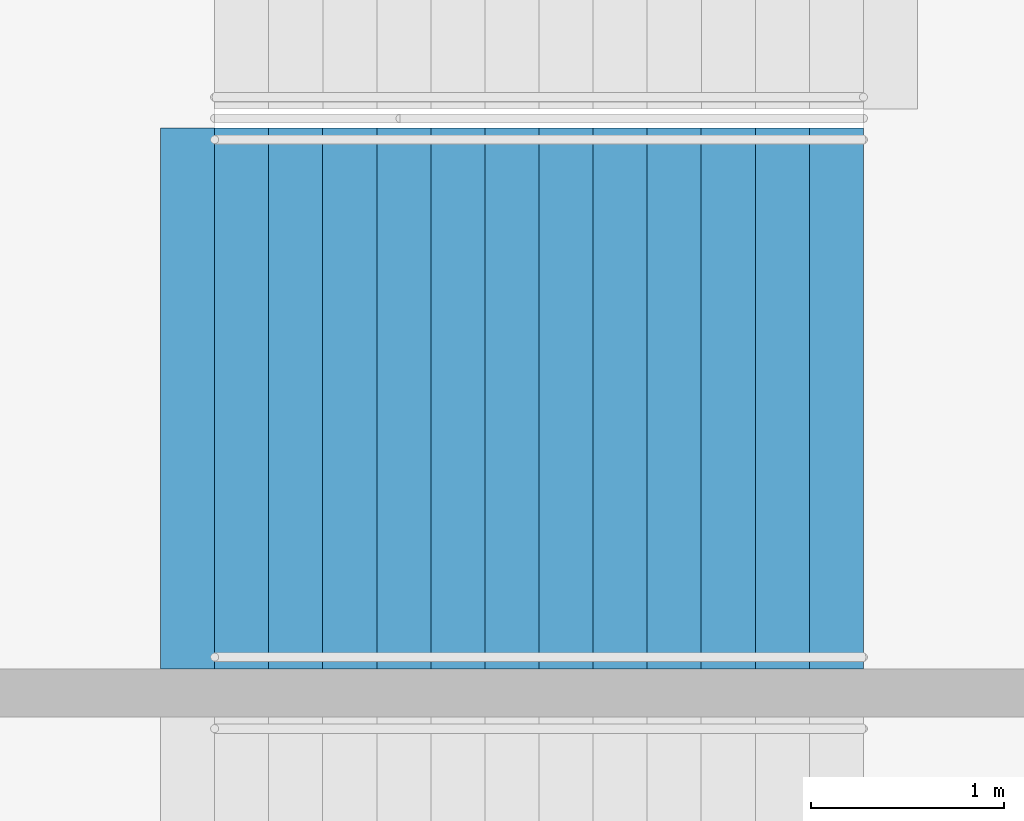
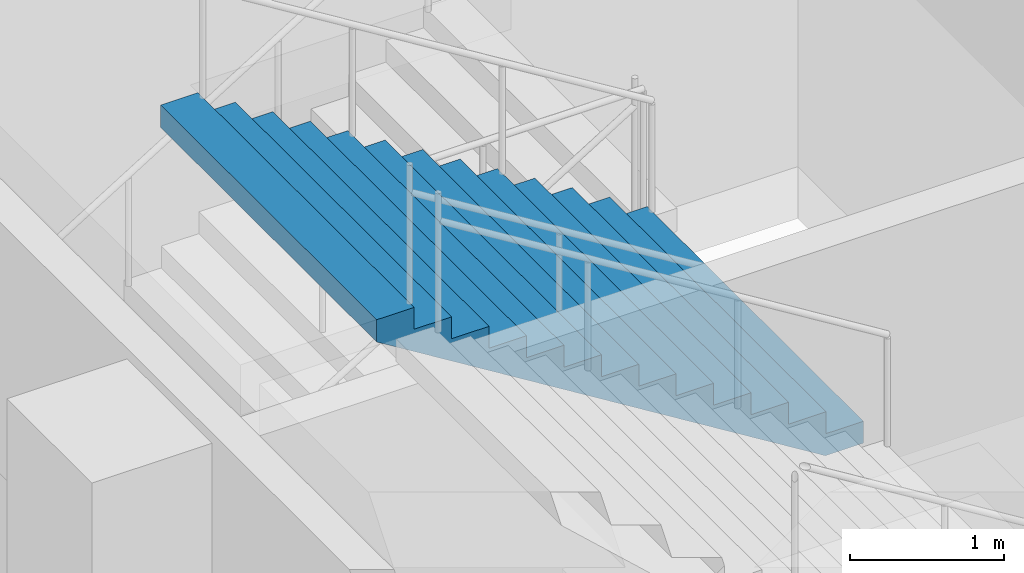
# One storey, part 125 of 177: 1 stair flight, 1 element without a shape of its own.
"""IFC4 building model written with IfcOpenShell, lengths in metres."""

import ifcopenshell
import ifcopenshell.guid

model = None  # the IFC model being written
_history = None  # IfcOwnerHistory: only IFC2X3 demands one
_inside = {}  # id of a spatial element -> (the spatial element, [elements in it])
_under = {}  # id of a project, library or spatial element -> (it, [spatial elements below it])
_declared = {}  # id of a project -> (the project, [libraries it declares])
_typed = {}  # id of a type object -> (the type object, [elements of that type])
_made_of = {}  # id of a material, layer set ... -> (it, [elements and type objects made of it])


def new_model(schema):
    """Start an empty IFC model of exactly this schema.

    Asked for "IFC4X3", IfcOpenShell would pick the latest addendum, in which some entities
    have other attributes; the version numbers below select the first issue.
    IFC2X3 requires an IfcOwnerHistory on every rooted entity: one is made here for all.
    """
    global model, _history
    if schema == "IFC4X3":
        model = ifcopenshell.file(schema_version=(4, 3, 0, 0))
    else:
        model = ifcopenshell.file(schema=schema)
    _inside.clear()
    _under.clear()
    _declared.clear()
    _typed.clear()
    _made_of.clear()
    _history = None
    if model.schema == "IFC2X3":
        org = make("IfcOrganization", Name="unknown")
        user = make(
            "IfcPersonAndOrganization",
            ThePerson=make("IfcPerson", FamilyName="unknown"),
            TheOrganization=org,
        )
        app = make(
            "IfcApplication",
            ApplicationDeveloper=org,
            Version="unknown",
            ApplicationFullName="unknown",
            ApplicationIdentifier="unknown",
        )
        _history = make(
            "IfcOwnerHistory",
            OwningUser=user,
            OwningApplication=app,
            ChangeAction="ADDED",
            CreationDate=0,
        )
    return model


def make(cls, **values):
    """One entity of the class cls with the attributes given. An attribute that is None is left unset."""
    return model.create_entity(
        cls, **{name: value for name, value in values.items() if value is not None}
    )


def rooted(cls, **values):
    """An entity with a GlobalId (a new one), such as an element, a storey or a relation."""
    return make(cls, GlobalId=ifcopenshell.guid.new(), OwnerHistory=_history, **values)


def si_unit(unit_type, name, prefix=None):
    """IfcSIUnit, for example si_unit("LENGTHUNIT", "METRE", prefix="MILLI")."""
    return make("IfcSIUnit", UnitType=unit_type, Prefix=prefix, Name=name)


def assignment(units):
    """IfcUnitAssignment: the units of a project."""
    return None if units is None else make("IfcUnitAssignment", Units=units)


def point(xyz):
    """IfcCartesianPoint."""
    return None if xyz is None else make("IfcCartesianPoint", Coordinates=xyz)


def direction(xyz):
    """IfcDirection."""
    return None if xyz is None else make("IfcDirection", DirectionRatios=xyz)


def frame(location, z_axis=None, x_axis=None):
    """IfcAxis2Placement3D, a coordinate frame: its origin and axes. An axis left out is left unset."""
    return make(
        "IfcAxis2Placement3D",
        Location=point(location),
        Axis=direction(z_axis),
        RefDirection=direction(x_axis),
    )


def origin():
    """The frame at (0, 0, 0) with its axes left unset."""
    return frame((0.0, 0.0, 0.0))


def place(relative_to, where):
    """IfcLocalPlacement: puts the frame where relative to a parent placement (None: the world)."""
    return make(
        "IfcLocalPlacement", PlacementRelTo=relative_to, RelativePlacement=where
    )


def context(
    kind, dimensions, precision=None, world=None, true_north=None, identifier=None
):
    """IfcGeometricRepresentationContext, for example the 3D "Model" context."""
    return make(
        "IfcGeometricRepresentationContext",
        ContextIdentifier=identifier,
        ContextType=kind,
        CoordinateSpaceDimension=dimensions,
        Precision=precision,
        WorldCoordinateSystem=world,
        TrueNorth=true_north,
    )


def subcontext(parent, identifier, kind, view, scale=None):
    """IfcGeometricRepresentationSubContext, for example "Body" below "Model"."""
    return make(
        "IfcGeometricRepresentationSubContext",
        ContextIdentifier=identifier,
        ContextType=kind,
        ParentContext=parent,
        TargetScale=scale,
        TargetView=view,
    )


def project(units=None, contexts=None):
    """IfcProject with its units and contexts."""
    return rooted(
        "IfcProject",
        Name="project",
        RepresentationContexts=contexts,
        UnitsInContext=assignment(units),
    )


def spatial(cls, under=None, at=None, **own):
    """A site, building, storey or space (cls), placed at a placement, below another one or the project."""
    s = rooted(cls, ObjectPlacement=at, **own)
    if under is not None:
        _under.setdefault(under.id(), (under, []))[1].append(s)
    return s


def faces_of(points, faces, orient=None, outer=None):
    """IfcFace entities. A face is a list of loops; a loop is a list of indices into points, from 0.

    orient and outer hold one flag for each loop. By default every Orientation is true, the
    first loop of a face is its IfcFaceOuterBound and the others are IfcFaceBound.
    """
    made = []
    for i, loops in enumerate(faces):
        bounds = []
        for j, loop in enumerate(loops):
            is_outer = j == 0 if outer is None else outer[i][j]
            bounds.append(
                make(
                    "IfcFaceOuterBound" if is_outer else "IfcFaceBound",
                    Bound=make("IfcPolyLoop", Polygon=[points[k] for k in loop]),
                    Orientation=True if orient is None else orient[i][j],
                )
            )
        made.append(make("IfcFace", Bounds=bounds))
    return made


def faceted_brep(points, faces, orient=None, outer=None, voids=None):
    """IfcFacetedBrep: a solid bounded by flat faces; with voids (closed shells), ...WithVoids."""
    shared = [point(p) for p in points]
    hull = make("IfcClosedShell", CfsFaces=faces_of(shared, faces, orient, outer))
    if voids is None:
        return make("IfcFacetedBrep", Outer=hull)
    return make(
        "IfcFacetedBrepWithVoids",
        Outer=hull,
        Voids=[
            make(cls, CfsFaces=faces_of(shared, fs, o, b)) for cls, fs, o, b in voids
        ],
    )


def shape(context_of_items, identifier, shape_type, items):
    """IfcShapeRepresentation: the items that make up one representation, for example the "Body"."""
    return make(
        "IfcShapeRepresentation",
        ContextOfItems=context_of_items,
        RepresentationIdentifier=identifier,
        RepresentationType=shape_type,
        Items=items,
    )


def material(Name=None, Category=None):
    """IfcMaterial."""
    return make("IfcMaterial", Name=Name, Category=Category)


def made_of(thing, what):
    """Note that an element or type object is made of a material, layer set ...; save() writes the relation."""
    if what is not None:
        _made_of.setdefault(what.id(), (what, []))[1].append(thing)
    return thing


def type_object(cls, material=None, **own):
    """A type object (cls), such as IfcWallType, which elements share."""
    return made_of(rooted(cls, **own), material)


def element(
    cls,
    number,
    at=None,
    inside=None,
    cuts=None,
    type_object=None,
    material=None,
    context=None,
    identifier="Body",
    shape_type=None,
    held_by="IfcProductDefinitionShape",
    body=None,
    shapes=None,
    **own,
):
    """One element of the class cls, such as IfcWall. Its Tag is "e" and its number.

    at: its placement. inside: the storey or other place that contains it. cuts: it is an
    opening in that element (IfcRelVoidsElement). A single representation is given by context,
    identifier, shape_type and body (its items); several are given by shapes. held_by: the class
    of the entity that holds the representations. save() writes the other relations.
    """
    e = rooted(cls, Tag="e%d" % number, ObjectPlacement=at, **own)
    if body is not None:
        shapes = [shape(context, identifier, shape_type, body)]
    if shapes is not None:
        e.Representation = make(held_by, Representations=shapes)
    if inside is not None:
        _inside.setdefault(inside.id(), (inside, []))[1].append(e)
    if cuts is not None:
        rooted(
            "IfcRelVoidsElement", RelatingBuildingElement=cuts, RelatedOpeningElement=e
        )
    if type_object is not None:
        _typed.setdefault(type_object.id(), (type_object, []))[1].append(e)
    return made_of(e, material)


def aggregate(whole, parts):
    """IfcRelAggregates: a whole, such as a stair, and the parts it consists of."""
    return rooted("IfcRelAggregates", RelatingObject=whole, RelatedObjects=parts)


def save(model, path):
    """Write the relations noted so far, then the file.

    IfcRelAggregates (storeys below a building ...), IfcRelContainedInSpatialStructure (elements
    in a storey), IfcRelDefinesByType, IfcRelAssociatesMaterial and IfcRelDeclares: one each for
    every whole, place, type object, material and project.
    """
    for whole, parts in _under.values():
        aggregate(whole, parts)
    for where, things in _inside.values():
        rooted(
            "IfcRelContainedInSpatialStructure",
            RelatedElements=things,
            RelatingStructure=where,
        )
    for kind, things in _typed.values():
        rooted("IfcRelDefinesByType", RelatedObjects=things, RelatingType=kind)
    for what, things in _made_of.values():
        rooted("IfcRelAssociatesMaterial", RelatedObjects=things, RelatingMaterial=what)
    for by, libraries in _declared.values():
        rooted("IfcRelDeclares", RelatingContext=by, RelatedDefinitions=libraries)
    model.write(path)


model = new_model("IFC4")

# Units and contexts
model_context = context("Model", 3, precision=1e-05, world=origin(), true_north=direction((0.0, 1.0)))
body_context = subcontext(model_context, "Body", "Model", "MODEL_VIEW")
ifc_project = project(units=[si_unit("LENGTHUNIT", "METRE"), si_unit("AREAUNIT", "SQUARE_METRE"), si_unit("VOLUMEUNIT", "CUBIC_METRE"), si_unit("PLANEANGLEUNIT", "RADIAN"), si_unit("MASSUNIT", "GRAM", prefix="KILO")], contexts=[model_context])

# Site, building, storey
site_placement = place(None, origin())
site = spatial("IfcSite", under=ifc_project, at=site_placement, CompositionType="ELEMENT")
building_placement = place(site_placement, origin())
building = spatial("IfcBuilding", under=site, at=building_placement, Name="Ogive Plaza Stadium", CompositionType="ELEMENT")
storey_placement = place(building_placement, frame((0.0, 0.0, 18.0)))
storey = spatial("IfcBuildingStorey", under=building, at=storey_placement, Name="L04", CompositionType="ELEMENT", Elevation=18.0)

# Stair, stair flight
ifc_material_1 = material(Name="Concrete C40/50", Category="concrete")
stair_type = type_object("IfcStairType", Name="Exit stair", PredefinedType="STRAIGHT_RUN_STAIR", material=ifc_material_1)
stair_placement = place(storey_placement, origin())
stair = element("IfcStair", 1, at=stair_placement, inside=storey, type_object=stair_type, Name="Exit stair ST06B L04 to L05", PredefinedType="STRAIGHT_RUN_STAIR")
ifc_material_2 = material(Name="Concrete C40/50", Category="concrete")
stair_flight_type = type_object("IfcStairFlightType", Name="Exit stair flight", PredefinedType="STRAIGHT", material=ifc_material_2)
stair_flight_placement = place(storey_placement, frame((79.7099609375, -20.97509765625, 2.25), z_axis=(0.0, 0.0, 1.0), x_axis=(-1.0, 0.0, 0.0)))
stair_flight = element("IfcStairFlight", 2, at=stair_flight_placement, type_object=stair_flight_type, Name="ST06B flight 2", NumberOfRisers=13, NumberOfTreads=12, PredefinedType="STRAIGHT", RiserHeight=0.173076923, TreadLength=0.28, context=body_context, shape_type="Brep", body=[
    faceted_brep([(0.28515625, -1.39990234375, 0.0), (3.639892578125, -1.39990234375, 2.07373046875), (3.639892578125, -1.39990234375, 2.25), (3.360107421875, -1.39990234375, 2.25), (3.360107421875, -1.39990234375, 2.076904296875), (3.080078125, -1.39990234375, 2.076904296875), (3.080078125, -1.39990234375, 1.90380859375), (2.800048828125, -1.39990234375, 1.90380859375), (2.800048828125, -1.39990234375, 1.730712890625), (2.52001953125, -1.39990234375, 1.730712890625), (2.52001953125, -1.39990234375, 1.5576171875), (2.239990234375, -1.39990234375, 1.5576171875), (2.239990234375, -1.39990234375, 1.384521484375), (1.9599609375, -1.39990234375, 1.384521484375), (1.9599609375, -1.39990234375, 1.21142578125), (1.679931640625, -1.39990234375, 1.21142578125), (1.679931640625, -1.39990234375, 1.03857421875), (1.39990234375, -1.39990234375, 1.03857421875), (1.39990234375, -1.39990234375, 0.865478515625), (1.1201171875, -1.39990234375, 0.865478515625), (1.1201171875, -1.39990234375, 0.6923828125), (0.840087890625, -1.39990234375, 0.6923828125), (0.840087890625, -1.39990234375, 0.519287109375), (0.56005859375, -1.39990234375, 0.519287109375), (0.56005859375, -1.39990234375, 0.34619140625), (0.280029296875, -1.39990234375, 0.34619140625), (0.280029296875, -1.39990234375, 0.173095703125), (0.0, -1.39990234375, 0.173095703125), (0.0, -1.39990234375, 0.0), (0.0, 1.39990234375, 0.0), (0.0, 1.39990234375, 0.173095703125), (0.280029296875, 1.39990234375, 0.173095703125), (0.280029296875, 1.39990234375, 0.34619140625), (0.56005859375, 1.39990234375, 0.34619140625), (0.56005859375, 1.39990234375, 0.519287109375), (0.840087890625, 1.39990234375, 0.519287109375), (0.840087890625, 1.39990234375, 0.6923828125), (1.1201171875, 1.39990234375, 0.6923828125), (1.1201171875, 1.39990234375, 0.865478515625), (1.39990234375, 1.39990234375, 0.865478515625), (1.39990234375, 1.39990234375, 1.03857421875), (1.679931640625, 1.39990234375, 1.03857421875), (1.679931640625, 1.39990234375, 1.21142578125), (1.9599609375, 1.39990234375, 1.21142578125), (1.9599609375, 1.39990234375, 1.384521484375), (2.239990234375, 1.39990234375, 1.384521484375), (2.239990234375, 1.39990234375, 1.5576171875), (2.52001953125, 1.39990234375, 1.5576171875), (2.52001953125, 1.39990234375, 1.730712890625), (2.800048828125, 1.39990234375, 1.730712890625), (2.800048828125, 1.39990234375, 1.90380859375), (3.080078125, 1.39990234375, 1.90380859375), (3.080078125, 1.39990234375, 2.076904296875), (3.360107421875, 1.39990234375, 2.076904296875), (3.360107421875, 1.39990234375, 2.25), (3.639892578125, 1.39990234375, 2.25), (3.639892578125, 1.39990234375, 2.07373046875), (0.28515625, 1.39990234375, 0.0), (0.28515625, -1.0888671875, 0.0), (3.639892578125, -1.0888671875, 2.07373046875), (0.28515625, -0.77783203125, 0.0), (3.639892578125, -0.77783203125, 2.07373046875), (0.28515625, -0.466796875, 0.0), (3.639892578125, -0.466796875, 2.07373046875), (0.28515625, -0.155517578125, 0.0), (3.639892578125, -0.155517578125, 2.07373046875), (0.28515625, 0.155517578125, 0.0), (3.639892578125, 0.155517578125, 2.07373046875), (0.28515625, 0.466796875, 0.0), (3.639892578125, 0.466796875, 2.07373046875), (0.28515625, 0.77783203125, 0.0), (3.639892578125, 0.77783203125, 2.07373046875), (0.28515625, 1.0888671875, 0.0), (3.639892578125, 1.0888671875, 2.07373046875), (3.639892578125, -1.0888671875, 2.25), (3.639892578125, -0.77783203125, 2.25), (3.639892578125, -0.466796875, 2.25), (3.639892578125, -0.155517578125, 2.25), (3.639892578125, 0.155517578125, 2.25), (3.639892578125, 0.466796875, 2.25), (3.639892578125, 0.77783203125, 2.25), (3.639892578125, 1.0888671875, 2.25), (3.360107421875, -1.0888671875, 2.25), (3.360107421875, -0.77783203125, 2.25), (3.360107421875, -0.466796875, 2.25), (3.360107421875, -0.155517578125, 2.25), (3.360107421875, 0.155517578125, 2.25), (3.360107421875, 0.466796875, 2.25), (3.360107421875, 0.77783203125, 2.25), (3.360107421875, 1.0888671875, 2.25), (3.360107421875, -1.0888671875, 2.076904296875), (3.360107421875, -0.77783203125, 2.076904296875), (3.360107421875, -0.466796875, 2.076904296875), (3.360107421875, -0.155517578125, 2.076904296875), (3.360107421875, 0.155517578125, 2.076904296875), (3.360107421875, 0.466796875, 2.076904296875), (3.360107421875, 0.77783203125, 2.076904296875), (3.360107421875, 1.0888671875, 2.076904296875), (3.080078125, -1.0888671875, 2.076904296875), (3.080078125, -0.77783203125, 2.076904296875), (3.080078125, -0.466796875, 2.076904296875), (3.080078125, -0.155517578125, 2.076904296875), (3.080078125, 0.155517578125, 2.076904296875), (3.080078125, 0.466796875, 2.076904296875), (3.080078125, 0.77783203125, 2.076904296875), (3.080078125, 1.0888671875, 2.076904296875), (3.080078125, -1.0888671875, 1.90380859375), (3.080078125, -0.77783203125, 1.90380859375), (3.080078125, -0.466796875, 1.90380859375), (3.080078125, -0.155517578125, 1.90380859375), (3.080078125, 0.155517578125, 1.90380859375), (3.080078125, 0.466796875, 1.90380859375), (3.080078125, 0.77783203125, 1.90380859375), (3.080078125, 1.0888671875, 1.90380859375), (2.800048828125, -1.0888671875, 1.90380859375), (2.800048828125, -0.77783203125, 1.90380859375), (2.800048828125, -0.466796875, 1.90380859375), (2.800048828125, -0.155517578125, 1.90380859375), (2.800048828125, 0.155517578125, 1.90380859375), (2.800048828125, 0.466796875, 1.90380859375), (2.800048828125, 0.77783203125, 1.90380859375), (2.800048828125, 1.0888671875, 1.90380859375), (2.800048828125, -1.0888671875, 1.730712890625), (2.800048828125, -0.77783203125, 1.730712890625), (2.800048828125, -0.466796875, 1.730712890625), (2.800048828125, -0.155517578125, 1.730712890625), (2.800048828125, 0.155517578125, 1.730712890625), (2.800048828125, 0.466796875, 1.730712890625), (2.800048828125, 0.77783203125, 1.730712890625), (2.800048828125, 1.0888671875, 1.730712890625), (2.52001953125, -1.0888671875, 1.730712890625), (2.52001953125, -0.77783203125, 1.730712890625), (2.52001953125, -0.466796875, 1.730712890625), (2.52001953125, -0.155517578125, 1.730712890625), (2.52001953125, 0.155517578125, 1.730712890625), (2.52001953125, 0.466796875, 1.730712890625), (2.52001953125, 0.77783203125, 1.730712890625), (2.52001953125, 1.0888671875, 1.730712890625), (2.52001953125, -1.0888671875, 1.5576171875), (2.52001953125, -0.77783203125, 1.5576171875), (2.52001953125, -0.466796875, 1.5576171875), (2.52001953125, -0.155517578125, 1.5576171875), (2.52001953125, 0.155517578125, 1.5576171875), (2.52001953125, 0.466796875, 1.5576171875), (2.52001953125, 0.77783203125, 1.5576171875), (2.52001953125, 1.0888671875, 1.5576171875), (2.239990234375, -1.0888671875, 1.5576171875), (2.239990234375, -0.77783203125, 1.5576171875), (2.239990234375, -0.466796875, 1.5576171875), (2.239990234375, -0.155517578125, 1.5576171875), (2.239990234375, 0.155517578125, 1.5576171875), (2.239990234375, 0.466796875, 1.5576171875), (2.239990234375, 0.77783203125, 1.5576171875), (2.239990234375, 1.0888671875, 1.5576171875), (2.239990234375, -1.0888671875, 1.384521484375), (2.239990234375, -0.77783203125, 1.384521484375), (2.239990234375, -0.466796875, 1.384521484375), (2.239990234375, -0.155517578125, 1.384521484375), (2.239990234375, 0.155517578125, 1.384521484375), (2.239990234375, 0.466796875, 1.384521484375), (2.239990234375, 0.77783203125, 1.384521484375), (2.239990234375, 1.0888671875, 1.384521484375), (1.9599609375, -1.0888671875, 1.384521484375), (1.9599609375, -0.77783203125, 1.384521484375), (1.9599609375, -0.466796875, 1.384521484375), (1.9599609375, -0.155517578125, 1.384521484375), (1.9599609375, 0.155517578125, 1.384521484375), (1.9599609375, 0.466796875, 1.384521484375), (1.9599609375, 0.77783203125, 1.384521484375), (1.9599609375, 1.0888671875, 1.384521484375), (1.9599609375, -1.0888671875, 1.21142578125), (1.9599609375, -0.77783203125, 1.21142578125), (1.9599609375, -0.466796875, 1.21142578125), (1.9599609375, -0.155517578125, 1.21142578125), (1.9599609375, 0.155517578125, 1.21142578125), (1.9599609375, 0.466796875, 1.21142578125), (1.9599609375, 0.77783203125, 1.21142578125), (1.9599609375, 1.0888671875, 1.21142578125), (1.679931640625, -1.0888671875, 1.21142578125), (1.679931640625, -0.77783203125, 1.21142578125), (1.679931640625, -0.466796875, 1.21142578125), (1.679931640625, -0.155517578125, 1.21142578125), (1.679931640625, 0.155517578125, 1.21142578125), (1.679931640625, 0.466796875, 1.21142578125), (1.679931640625, 0.77783203125, 1.21142578125), (1.679931640625, 1.0888671875, 1.21142578125), (1.679931640625, -1.0888671875, 1.03857421875), (1.679931640625, -0.77783203125, 1.03857421875), (1.679931640625, -0.466796875, 1.03857421875), (1.679931640625, -0.155517578125, 1.03857421875), (1.679931640625, 0.155517578125, 1.03857421875), (1.679931640625, 0.466796875, 1.03857421875), (1.679931640625, 0.77783203125, 1.03857421875), (1.679931640625, 1.0888671875, 1.03857421875), (1.39990234375, -1.0888671875, 1.03857421875), (1.39990234375, -0.77783203125, 1.03857421875), (1.39990234375, -0.466796875, 1.03857421875), (1.39990234375, -0.155517578125, 1.03857421875), (1.39990234375, 0.155517578125, 1.03857421875), (1.39990234375, 0.466796875, 1.03857421875), (1.39990234375, 0.77783203125, 1.03857421875), (1.39990234375, 1.0888671875, 1.03857421875), (1.39990234375, -1.0888671875, 0.865478515625), (1.39990234375, -0.77783203125, 0.865478515625), (1.39990234375, -0.466796875, 0.865478515625), (1.39990234375, -0.155517578125, 0.865478515625), (1.39990234375, 0.155517578125, 0.865478515625), (1.39990234375, 0.466796875, 0.865478515625), (1.39990234375, 0.77783203125, 0.865478515625), (1.39990234375, 1.0888671875, 0.865478515625), (1.1201171875, -1.0888671875, 0.865478515625), (1.1201171875, -0.77783203125, 0.865478515625), (1.1201171875, -0.466796875, 0.865478515625), (1.1201171875, -0.155517578125, 0.865478515625), (1.1201171875, 0.155517578125, 0.865478515625), (1.1201171875, 0.466796875, 0.865478515625), (1.1201171875, 0.77783203125, 0.865478515625), (1.1201171875, 1.0888671875, 0.865478515625), (1.1201171875, -1.0888671875, 0.6923828125), (1.1201171875, -0.77783203125, 0.6923828125), (1.1201171875, -0.466796875, 0.6923828125), (1.1201171875, -0.155517578125, 0.6923828125), (1.1201171875, 0.155517578125, 0.6923828125), (1.1201171875, 0.466796875, 0.6923828125), (1.1201171875, 0.77783203125, 0.6923828125), (1.1201171875, 1.0888671875, 0.6923828125), (0.840087890625, -1.0888671875, 0.6923828125), (0.840087890625, -0.77783203125, 0.6923828125), (0.840087890625, -0.466796875, 0.6923828125), (0.840087890625, -0.155517578125, 0.6923828125), (0.840087890625, 0.155517578125, 0.6923828125), (0.840087890625, 0.466796875, 0.6923828125), (0.840087890625, 0.77783203125, 0.6923828125), (0.840087890625, 1.0888671875, 0.6923828125), (0.840087890625, -1.0888671875, 0.519287109375), (0.840087890625, -0.77783203125, 0.519287109375), (0.840087890625, -0.466796875, 0.519287109375), (0.840087890625, -0.155517578125, 0.519287109375), (0.840087890625, 0.155517578125, 0.519287109375), (0.840087890625, 0.466796875, 0.519287109375), (0.840087890625, 0.77783203125, 0.519287109375), (0.840087890625, 1.0888671875, 0.519287109375), (0.56005859375, -1.0888671875, 0.519287109375), (0.56005859375, -0.77783203125, 0.519287109375), (0.56005859375, -0.466796875, 0.519287109375), (0.56005859375, -0.155517578125, 0.519287109375), (0.56005859375, 0.155517578125, 0.519287109375), (0.56005859375, 0.466796875, 0.519287109375), (0.56005859375, 0.77783203125, 0.519287109375), (0.56005859375, 1.0888671875, 0.519287109375), (0.56005859375, -1.0888671875, 0.34619140625), (0.56005859375, -0.77783203125, 0.34619140625), (0.56005859375, -0.466796875, 0.34619140625), (0.56005859375, -0.155517578125, 0.34619140625), (0.56005859375, 0.155517578125, 0.34619140625), (0.56005859375, 0.466796875, 0.34619140625), (0.56005859375, 0.77783203125, 0.34619140625), (0.56005859375, 1.0888671875, 0.34619140625), (0.280029296875, -1.0888671875, 0.34619140625), (0.280029296875, -0.77783203125, 0.34619140625), (0.280029296875, -0.466796875, 0.34619140625), (0.280029296875, -0.155517578125, 0.34619140625), (0.280029296875, 0.155517578125, 0.34619140625), (0.280029296875, 0.466796875, 0.34619140625), (0.280029296875, 0.77783203125, 0.34619140625), (0.280029296875, 1.0888671875, 0.34619140625), (0.280029296875, -1.0888671875, 0.173095703125), (0.280029296875, -0.77783203125, 0.173095703125), (0.280029296875, -0.466796875, 0.173095703125), (0.280029296875, -0.155517578125, 0.173095703125), (0.280029296875, 0.155517578125, 0.173095703125), (0.280029296875, 0.466796875, 0.173095703125), (0.280029296875, 0.77783203125, 0.173095703125), (0.280029296875, 1.0888671875, 0.173095703125), (0.0, -1.0888671875, 0.173095703125), (0.0, -0.77783203125, 0.173095703125), (0.0, -0.466796875, 0.173095703125), (0.0, -0.155517578125, 0.173095703125), (0.0, 0.155517578125, 0.173095703125), (0.0, 0.466796875, 0.173095703125), (0.0, 0.77783203125, 0.173095703125), (0.0, 1.0888671875, 0.173095703125), (0.0, -1.0888671875, 0.0), (0.0, -0.77783203125, 0.0), (0.0, -0.466796875, 0.0), (0.0, -0.155517578125, 0.0), (0.0, 0.155517578125, 0.0), (0.0, 0.466796875, 0.0), (0.0, 0.77783203125, 0.0), (0.0, 1.0888671875, 0.0)], [[[0, 1, 2, 3, 4, 5, 6, 7, 8, 9, 10, 11, 12, 13, 14, 15, 16, 17, 18, 19, 20, 21, 22, 23, 24, 25, 26, 27, 28]], [[29, 30, 31, 32, 33, 34, 35, 36, 37, 38, 39, 40, 41, 42, 43, 44, 45, 46, 47, 48, 49, 50, 51, 52, 53, 54, 55, 56, 57]], [[0, 58, 59, 1]], [[58, 60, 61, 59]], [[60, 62, 63, 61]], [[62, 64, 65, 63]], [[64, 66, 67, 65]], [[66, 68, 69, 67]], [[68, 70, 71, 69]], [[70, 72, 73, 71]], [[72, 57, 56, 73]], [[1, 59, 74, 2]], [[59, 61, 75, 74]], [[61, 63, 76, 75]], [[63, 65, 77, 76]], [[65, 67, 78, 77]], [[67, 69, 79, 78]], [[69, 71, 80, 79]], [[71, 73, 81, 80]], [[73, 56, 55, 81]], [[2, 74, 82, 3]], [[74, 75, 83, 82]], [[75, 76, 84, 83]], [[76, 77, 85, 84]], [[77, 78, 86, 85]], [[78, 79, 87, 86]], [[79, 80, 88, 87]], [[80, 81, 89, 88]], [[81, 55, 54, 89]], [[3, 82, 90, 4]], [[82, 83, 91, 90]], [[83, 84, 92, 91]], [[84, 85, 93, 92]], [[85, 86, 94, 93]], [[86, 87, 95, 94]], [[87, 88, 96, 95]], [[88, 89, 97, 96]], [[89, 54, 53, 97]], [[4, 90, 98, 5]], [[90, 91, 99, 98]], [[91, 92, 100, 99]], [[92, 93, 101, 100]], [[93, 94, 102, 101]], [[94, 95, 103, 102]], [[95, 96, 104, 103]], [[96, 97, 105, 104]], [[97, 53, 52, 105]], [[5, 98, 106, 6]], [[98, 99, 107, 106]], [[99, 100, 108, 107]], [[100, 101, 109, 108]], [[101, 102, 110, 109]], [[102, 103, 111, 110]], [[103, 104, 112, 111]], [[104, 105, 113, 112]], [[105, 52, 51, 113]], [[6, 106, 114, 7]], [[106, 107, 115, 114]], [[107, 108, 116, 115]], [[108, 109, 117, 116]], [[109, 110, 118, 117]], [[110, 111, 119, 118]], [[111, 112, 120, 119]], [[112, 113, 121, 120]], [[113, 51, 50, 121]], [[7, 114, 122, 8]], [[114, 115, 123, 122]], [[115, 116, 124, 123]], [[116, 117, 125, 124]], [[117, 118, 126, 125]], [[118, 119, 127, 126]], [[119, 120, 128, 127]], [[120, 121, 129, 128]], [[121, 50, 49, 129]], [[8, 122, 130, 9]], [[122, 123, 131, 130]], [[123, 124, 132, 131]], [[124, 125, 133, 132]], [[125, 126, 134, 133]], [[126, 127, 135, 134]], [[127, 128, 136, 135]], [[128, 129, 137, 136]], [[129, 49, 48, 137]], [[9, 130, 138, 10]], [[130, 131, 139, 138]], [[131, 132, 140, 139]], [[132, 133, 141, 140]], [[133, 134, 142, 141]], [[134, 135, 143, 142]], [[135, 136, 144, 143]], [[136, 137, 145, 144]], [[137, 48, 47, 145]], [[10, 138, 146, 11]], [[138, 139, 147, 146]], [[139, 140, 148, 147]], [[140, 141, 149, 148]], [[141, 142, 150, 149]], [[142, 143, 151, 150]], [[143, 144, 152, 151]], [[144, 145, 153, 152]], [[145, 47, 46, 153]], [[11, 146, 154, 12]], [[146, 147, 155, 154]], [[147, 148, 156, 155]], [[148, 149, 157, 156]], [[149, 150, 158, 157]], [[150, 151, 159, 158]], [[151, 152, 160, 159]], [[152, 153, 161, 160]], [[153, 46, 45, 161]], [[12, 154, 162, 13]], [[154, 155, 163, 162]], [[155, 156, 164, 163]], [[156, 157, 165, 164]], [[157, 158, 166, 165]], [[158, 159, 167, 166]], [[159, 160, 168, 167]], [[160, 161, 169, 168]], [[161, 45, 44, 169]], [[13, 162, 170, 14]], [[162, 163, 171, 170]], [[163, 164, 172, 171]], [[164, 165, 173, 172]], [[165, 166, 174, 173]], [[166, 167, 175, 174]], [[167, 168, 176, 175]], [[168, 169, 177, 176]], [[169, 44, 43, 177]], [[14, 170, 178, 15]], [[170, 171, 179, 178]], [[171, 172, 180, 179]], [[172, 173, 181, 180]], [[173, 174, 182, 181]], [[174, 175, 183, 182]], [[175, 176, 184, 183]], [[176, 177, 185, 184]], [[177, 43, 42, 185]], [[15, 178, 186, 16]], [[178, 179, 187, 186]], [[179, 180, 188, 187]], [[180, 181, 189, 188]], [[181, 182, 190, 189]], [[182, 183, 191, 190]], [[183, 184, 192, 191]], [[184, 185, 193, 192]], [[185, 42, 41, 193]], [[16, 186, 194, 17]], [[186, 187, 195, 194]], [[187, 188, 196, 195]], [[188, 189, 197, 196]], [[189, 190, 198, 197]], [[190, 191, 199, 198]], [[191, 192, 200, 199]], [[192, 193, 201, 200]], [[193, 41, 40, 201]], [[17, 194, 202, 18]], [[194, 195, 203, 202]], [[195, 196, 204, 203]], [[196, 197, 205, 204]], [[197, 198, 206, 205]], [[198, 199, 207, 206]], [[199, 200, 208, 207]], [[200, 201, 209, 208]], [[201, 40, 39, 209]], [[18, 202, 210, 19]], [[202, 203, 211, 210]], [[203, 204, 212, 211]], [[204, 205, 213, 212]], [[205, 206, 214, 213]], [[206, 207, 215, 214]], [[207, 208, 216, 215]], [[208, 209, 217, 216]], [[209, 39, 38, 217]], [[19, 210, 218, 20]], [[210, 211, 219, 218]], [[211, 212, 220, 219]], [[212, 213, 221, 220]], [[213, 214, 222, 221]], [[214, 215, 223, 222]], [[215, 216, 224, 223]], [[216, 217, 225, 224]], [[217, 38, 37, 225]], [[20, 218, 226, 21]], [[218, 219, 227, 226]], [[219, 220, 228, 227]], [[220, 221, 229, 228]], [[221, 222, 230, 229]], [[222, 223, 231, 230]], [[223, 224, 232, 231]], [[224, 225, 233, 232]], [[225, 37, 36, 233]], [[21, 226, 234, 22]], [[226, 227, 235, 234]], [[227, 228, 236, 235]], [[228, 229, 237, 236]], [[229, 230, 238, 237]], [[230, 231, 239, 238]], [[231, 232, 240, 239]], [[232, 233, 241, 240]], [[233, 36, 35, 241]], [[22, 234, 242, 23]], [[234, 235, 243, 242]], [[235, 236, 244, 243]], [[236, 237, 245, 244]], [[237, 238, 246, 245]], [[238, 239, 247, 246]], [[239, 240, 248, 247]], [[240, 241, 249, 248]], [[241, 35, 34, 249]], [[23, 242, 250, 24]], [[242, 243, 251, 250]], [[243, 244, 252, 251]], [[244, 245, 253, 252]], [[245, 246, 254, 253]], [[246, 247, 255, 254]], [[247, 248, 256, 255]], [[248, 249, 257, 256]], [[249, 34, 33, 257]], [[24, 250, 258, 25]], [[250, 251, 259, 258]], [[251, 252, 260, 259]], [[252, 253, 261, 260]], [[253, 254, 262, 261]], [[254, 255, 263, 262]], [[255, 256, 264, 263]], [[256, 257, 265, 264]], [[257, 33, 32, 265]], [[25, 258, 266, 26]], [[258, 259, 267, 266]], [[259, 260, 268, 267]], [[260, 261, 269, 268]], [[261, 262, 270, 269]], [[262, 263, 271, 270]], [[263, 264, 272, 271]], [[264, 265, 273, 272]], [[265, 32, 31, 273]], [[26, 266, 274, 27]], [[266, 267, 275, 274]], [[267, 268, 276, 275]], [[268, 269, 277, 276]], [[269, 270, 278, 277]], [[270, 271, 279, 278]], [[271, 272, 280, 279]], [[272, 273, 281, 280]], [[273, 31, 30, 281]], [[27, 274, 282, 28]], [[274, 275, 283, 282]], [[275, 276, 284, 283]], [[276, 277, 285, 284]], [[277, 278, 286, 285]], [[278, 279, 287, 286]], [[279, 280, 288, 287]], [[280, 281, 289, 288]], [[281, 30, 29, 289]], [[28, 282, 58, 0]], [[282, 283, 60, 58]], [[283, 284, 62, 60]], [[284, 285, 64, 62]], [[285, 286, 66, 64]], [[286, 287, 68, 66]], [[287, 288, 70, 68]], [[288, 289, 72, 70]], [[289, 29, 57, 72]]]),
])
aggregate(stair, [stair_flight])

save(model, "model.ifc")
